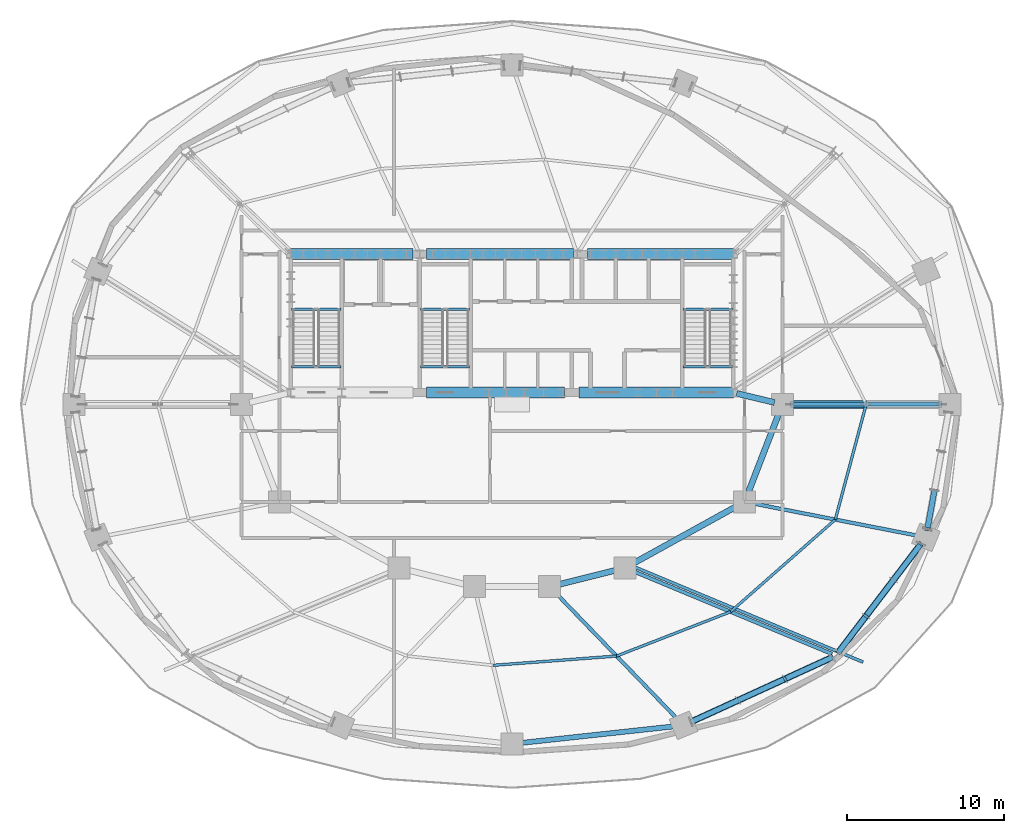
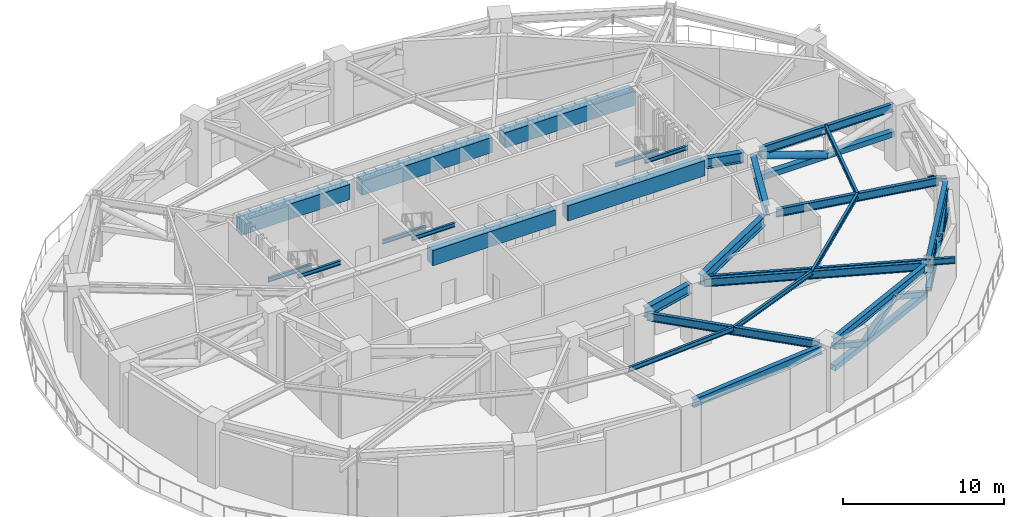
# One storey, part 4 of 18: 27 beams, 11 members.
"""IFC4 building model written with IfcOpenShell, lengths in metres."""

from ifc_helpers import new_model, si_unit, direction, frame, origin, origin_2d, place, context, subcontext, project, spatial, rectangle, hollow_rectangle, hollow_circle, i_section, extrude, material, material_profile, profile_set, type_object, element, save


model = new_model("IFC4")

# Units and contexts
model_context = context("Model", 3, precision=1e-05, world=origin(), true_north=direction((0.0, 1.0)))
body_context = subcontext(model_context, "Body", "Model", "MODEL_VIEW")
ifc_project = project(units=[si_unit("LENGTHUNIT", "METRE"), si_unit("AREAUNIT", "SQUARE_METRE"), si_unit("VOLUMEUNIT", "CUBIC_METRE"), si_unit("PLANEANGLEUNIT", "RADIAN"), si_unit("MASSUNIT", "GRAM", prefix="KILO")], contexts=[model_context])

# Site, building, storey
site_placement = place(None, origin())
site = spatial("IfcSite", under=ifc_project, at=site_placement, CompositionType="ELEMENT")
building_placement = place(site_placement, origin())
building = spatial("IfcBuilding", under=site, at=building_placement, Name="Haldorwick Loom Tower", CompositionType="ELEMENT")
storey_placement = place(building_placement, frame((0.0, 0.0, 76.800048828125)))
storey = spatial("IfcBuildingStorey", under=building, at=storey_placement, Name="L20", CompositionType="ELEMENT", Elevation=76.800048828125)

# Beams
ifc_material_1 = material(Name="Steel CSA G40.21 350W", Category="steel")
ifc_material_profile_1 = material_profile(ifc_material_1, i_section(OverallWidth=0.193115234375, OverallDepth=0.466064453125, WebThickness=0.011474609375, FlangeThickness=0.01904296875, at=origin_2d()), Name="W460X97", Category="steel")
ifc_profile_set_1 = profile_set([ifc_material_profile_1], Name="Steel CSA G40.21 350W")
beam_type_1 = type_object("IfcBeamType", Name="STR-BM-BAL460", PredefinedType="BEAM", material=ifc_profile_set_1)
beam_1_placement = place(storey_placement, frame((43.78759765625, 15.65869140625, 4.52685546875), z_axis=(0.923187850755, -0.384349049976, 0.0), x_axis=(0.384349049976, 0.923187850755, 0.0)))
element("IfcBeam", 1, at=beam_1_placement, inside=storey, type_object=beam_type_1, Name="L20 Continuous Back-Spanned Balcony Beam 1", PredefinedType="BEAM", context=body_context, shape_type="SweptSolid", body=[
    extrude(i_section(OverallWidth=0.193115234375, OverallDepth=0.466064453125, WebThickness=0.011474609375, FlangeThickness=0.01904296875, at=origin_2d()), origin(), (0.0, 0.0, 1.0), 15.75244140625),
])
ifc_material_2 = material(Name="Concrete C60 (60 MPa)", Category="concrete")
ifc_material_profile_2 = material_profile(ifc_material_2, rectangle(XDim=0.699951171875, YDim=1.14990234375, at=origin_2d()), Name="RC700X1150", Category="concrete")
ifc_profile_set_2 = profile_set([ifc_material_profile_2], Name="Concrete C60 (60 MPa)")
beam_type_2 = type_object("IfcBeamType", Name="STR-BM-CB1150", PredefinedType="LINTEL", material=ifc_profile_set_2)
beam_2_placement = place(storey_placement, frame((21.89990234375, 35.550048828125, 4.18505859375), z_axis=(1.0, 0.0, 0.0), x_axis=(0.0, 1.0, 0.0)))
element("IfcBeam", 2, at=beam_2_placement, inside=storey, type_object=beam_type_2, Name="L20 Core Coupling Beam CB-N1", PredefinedType="LINTEL", context=body_context, shape_type="SweptSolid", body=[
    extrude(rectangle(XDim=0.699951171875, YDim=1.14990234375, at=origin_2d()), origin(), (0.0, 0.0, 1.0), 7.800048828125),
])
beam_3_placement = place(storey_placement, frame((30.550048828125, 35.550048828125, 4.18505859375), z_axis=(1.0, 0.0, 0.0), x_axis=(0.0, 1.0, 0.0)))
element("IfcBeam", 3, at=beam_3_placement, inside=storey, type_object=beam_type_2, Name="L20 Core Coupling Beam CB-N2", PredefinedType="LINTEL", context=body_context, shape_type="SweptSolid", body=[
    extrude(rectangle(XDim=0.699951171875, YDim=1.14990234375, at=origin_2d()), origin(), (0.0, 0.0, 1.0), 9.349853515625),
])
beam_4_placement = place(storey_placement, frame((40.800048828125, 35.550048828125, 4.18505859375), z_axis=(1.0, 0.0, 0.0), x_axis=(0.0, 1.0, 0.0)))
element("IfcBeam", 4, at=beam_4_placement, inside=storey, type_object=beam_type_2, Name="L20 Core Coupling Beam CB-N3", PredefinedType="LINTEL", context=body_context, shape_type="SweptSolid", body=[
    extrude(rectangle(XDim=0.699951171875, YDim=1.14990234375, at=origin_2d()), origin(), (0.0, 0.0, 1.0), 9.300048828125),
])
beam_5_placement = place(storey_placement, frame((30.550048828125, 26.75, 4.18505859375), z_axis=(1.0, 0.0, 0.0), x_axis=(0.0, 1.0, 0.0)))
element("IfcBeam", 5, at=beam_5_placement, inside=storey, type_object=beam_type_2, Name="L20 Core Coupling Beam CB-S2", PredefinedType="LINTEL", context=body_context, shape_type="SweptSolid", body=[
    extrude(rectangle(XDim=0.699951171875, YDim=1.14990234375, at=origin_2d()), origin(), (0.0, 0.0, 1.0), 8.800048828125),
])
beam_6_placement = place(storey_placement, frame((40.25, 26.75, 4.18505859375), z_axis=(1.0, 0.0, 0.0), x_axis=(0.0, 1.0, 0.0)))
element("IfcBeam", 6, at=beam_6_placement, inside=storey, type_object=beam_type_2, Name="L20 Core Coupling Beam CB-S3", PredefinedType="LINTEL", context=body_context, shape_type="SweptSolid", body=[
    extrude(rectangle(XDim=0.699951171875, YDim=1.14990234375, at=origin_2d()), origin(), (0.0, 0.0, 1.0), 9.85009765625),
])
ifc_material_profile_3 = material_profile(ifc_material_1, i_section(OverallWidth=0.172119140625, OverallDepth=0.35791015625, WebThickness=0.0078125, FlangeThickness=0.01318359375, at=origin_2d()), Name="W360X57", Category="steel")
ifc_profile_set_3 = profile_set([ifc_material_profile_3], Name="Steel CSA G40.21 350W")
beam_type_3 = type_object("IfcBeamType", Name="STR-BM-J360", PredefinedType="JOIST", material=ifc_profile_set_3)
beam_7_placement = place(storey_placement, frame((34.800048828125, 9.40087890625, 4.5810546875), z_axis=(0.99718663731, 0.074958724439, 0.0), x_axis=(-0.074958724439, 0.99718663731, 0.0)))
element("IfcBeam", 7, at=beam_7_placement, inside=storey, type_object=beam_type_3, Name="L20 Mid-Bay Secondary Joist 13", PredefinedType="JOIST", context=body_context, shape_type="SweptSolid", body=[
    extrude(i_section(OverallWidth=0.172119140625, OverallDepth=0.35791015625, WebThickness=0.0078125, FlangeThickness=0.01318359375, at=origin_2d()), origin(), (0.0, 0.0, 1.0), 7.87548828125),
])
beam_8_placement = place(storey_placement, frame((42.6533203125, 9.9912109375, 4.5810546875), z_axis=(0.932072983051, 0.362270553959, 0.0), x_axis=(-0.362270553959, 0.932072983051, 0.0)))
element("IfcBeam", 8, at=beam_8_placement, inside=storey, type_object=beam_type_3, Name="L20 Mid-Bay Secondary Joist 14", PredefinedType="JOIST", context=body_context, shape_type="SweptSolid", body=[
    extrude(i_section(OverallWidth=0.172119140625, OverallDepth=0.35791015625, WebThickness=0.0078125, FlangeThickness=0.01318359375, at=origin_2d()), origin(), (0.0, 0.0, 1.0), 7.7783203125),
])
beam_9_placement = place(storey_placement, frame((49.9033203125, 12.80908203125, 4.5810546875), z_axis=(0.750721157729, 0.660619212057, 0.0), x_axis=(-0.660619212057, 0.750721157729, 0.0)))
element("IfcBeam", 9, at=beam_9_placement, inside=storey, type_object=beam_type_3, Name="L20 Mid-Bay Secondary Joist 15", PredefinedType="JOIST", context=body_context, shape_type="SweptSolid", body=[
    extrude(i_section(OverallWidth=0.172119140625, OverallDepth=0.35791015625, WebThickness=0.0078125, FlangeThickness=0.01318359375, at=origin_2d()), origin(), (0.0, 0.0, 1.0), 8.8740234375),
])
beam_10_placement = place(storey_placement, frame((56.565185546875, 18.67138671875, 4.5810546875), z_axis=(0.258810072536, 0.965928230436, 0.0), x_axis=(-0.965928230436, 0.258810072536, 0.0)))
element("IfcBeam", 10, at=beam_10_placement, inside=storey, type_object=beam_type_3, Name="L20 Mid-Bay Secondary Joist 16", PredefinedType="JOIST", context=body_context, shape_type="SweptSolid", body=[
    extrude(i_section(OverallWidth=0.172119140625, OverallDepth=0.35791015625, WebThickness=0.0078125, FlangeThickness=0.01318359375, at=origin_2d()), origin(), (0.0, 0.0, 1.0), 7.587158203125),
])
ifc_material_profile_4 = material_profile(ifc_material_1, i_section(OverallWidth=0.324951171875, OverallDepth=0.615966796875, WebThickness=0.013916015625, FlangeThickness=0.021484375, at=origin_2d()), Name="W610X174", Category="steel")
ifc_profile_set_4 = profile_set([ifc_material_profile_4], Name="Steel CSA G40.21 350W")
beam_type_4 = type_object("IfcBeamType", Name="STR-BM-SP610", PredefinedType="SPANDREL", material=ifc_profile_set_4)
beam_11_placement = place(storey_placement, frame((36.51708984375, 4.45751953125, 4.451904296875), z_axis=(0.994190135627, 0.107638163409, 0.0), x_axis=(-0.107638163409, 0.994190135627, 0.0)))
element("IfcBeam", 11, at=beam_11_placement, inside=storey, type_object=beam_type_4, Name="L20 Perimeter Spandrel 13", PredefinedType="SPANDREL", context=body_context, shape_type="SweptSolid", body=[
    extrude(i_section(OverallWidth=0.324951171875, OverallDepth=0.615966796875, WebThickness=0.013916015625, FlangeThickness=0.021484375, at=origin_2d()), origin(), (0.0, 0.0, 1.0), 9.929931640625),
])
beam_12_placement = place(storey_placement, frame((47.37939453125, 5.798583984375, 4.451904296875), z_axis=(0.909423969306, 0.415870225011, 0.0), x_axis=(-0.415870225011, 0.909423969306, 0.0)))
element("IfcBeam", 12, at=beam_12_placement, inside=storey, type_object=beam_type_4, Name="L20 Perimeter Spandrel 14", PredefinedType="SPANDREL", context=body_context, shape_type="SweptSolid", body=[
    extrude(i_section(OverallWidth=0.324951171875, OverallDepth=0.615966796875, WebThickness=0.013916015625, FlangeThickness=0.021484375, at=origin_2d()), origin(), (0.0, 0.0, 1.0), 9.871337890625),
])
beam_13_placement = place(storey_placement, frame((56.773193359375, 10.2373046875, 4.451904296875), z_axis=(0.605453508047, 0.795880675475, 0.0), x_axis=(-0.795880675475, 0.605453508047, 0.0)))
element("IfcBeam", 13, at=beam_13_placement, inside=storey, type_object=beam_type_4, Name="L20 Perimeter Spandrel 15", PredefinedType="SPANDREL", context=body_context, shape_type="SweptSolid", body=[
    extrude(i_section(OverallWidth=0.324951171875, OverallDepth=0.615966796875, WebThickness=0.013916015625, FlangeThickness=0.021484375, at=origin_2d()), origin(), (0.0, 0.0, 1.0), 8.6591796875),
])
ifc_material_profile_5 = material_profile(ifc_material_1, i_section(OverallWidth=0.166015625, OverallDepth=0.31298828125, WebThickness=0.006591796875, FlangeThickness=0.01123046875, at=origin_2d()), Name="W310X45", Category="steel")
ifc_profile_set_5 = profile_set([ifc_material_profile_5], Name="Steel CSA G40.21 350W")
beam_type_5 = type_object("IfcBeamType", Name="STR-BM-STRM", PredefinedType="BEAM", material=ifc_profile_set_5)
for number, where, z_axis, x_axis, name in (
    (14, (21.989990234375, 28.39990234375, 4.603515625), (1.0, 0.0, 0.0), (0.0, 1.0, 0.0), "L20 Stair ST-01 Landing Edge Trimmer"),
    (15, (21.989990234375, 32.0400390625, 2.1435546875), (1.0, 0.0, 0.0), (0.0, 1.0, 0.0), "L20 Stair ST-01 Half-Landing Trimmer 1"),
    (16, (46.889892578125, 28.39990234375, 4.603515625), (1.0, 0.0, 0.0), (0.0, 1.0, 0.0), "L20 Stair ST-02 Landing Edge Trimmer"),
    (17, (46.889892578125, 32.0400390625, 2.1435546875), (1.0, 0.0, 0.0), (0.0, 1.0, 0.0), "L20 Stair ST-02 Half-Landing Trimmer 1"),
    (18, (30.18994140625, 28.39990234375, 4.603515625), (1.0, 0.0, 0.0), (0.0, 1.0, 0.0), "L20 Stair ST-03 Landing Edge Trimmer"),
    (19, (30.18994140625, 32.0400390625, 2.1435546875), (1.0, 0.0, 0.0), (0.0, 1.0, 0.0), "L20 Stair ST-03 Half-Landing Trimmer 1"),
):
    element("IfcBeam", number, at=place(storey_placement, frame(where, z_axis=z_axis, x_axis=x_axis)), inside=storey, type_object=beam_type_5, Name=name, PredefinedType="BEAM", context=body_context, shape_type="SweptSolid", body=[
        extrude(i_section(OverallWidth=0.166015625, OverallDepth=0.31298828125, WebThickness=0.006591796875, FlangeThickness=0.01123046875, at=origin_2d()), origin(), (0.0, 0.0, 1.0), 3.1201171875),
    ])
ifc_material_profile_6 = material_profile(ifc_material_1, i_section(OverallWidth=0.22998046875, OverallDepth=0.616943359375, WebThickness=0.01318359375, FlangeThickness=0.022216796875, at=origin_2d()), Name="W610X140", Category="steel")
ifc_profile_set_6 = profile_set([ifc_material_profile_6], Name="Steel CSA G40.21 350W")
beam_type_6 = type_object("IfcBeamType", Name="STR-BM-W610B", PredefinedType="BEAM", material=ifc_profile_set_6)
beam_14_placement = place(storey_placement, frame((53.719970703125, 26.0, 4.451416015625), z_axis=(1.0, 0.0, 0.0), x_axis=(0.0, 1.0, 0.0)))
element("IfcBeam", 20, at=beam_14_placement, inside=storey, type_object=beam_type_6, Name="L20 Radial Floor Girder 1", PredefinedType="BEAM", context=body_context, shape_type="SweptSolid", body=[
    extrude(i_section(OverallWidth=0.22998046875, OverallDepth=0.616943359375, WebThickness=0.01318359375, FlangeThickness=0.022216796875, at=origin_2d()), origin(), (0.0, 0.0, 1.0), 9.61767578125),
])
beam_15_placement = place(storey_placement, frame((38.760986328125, 14.02587890625, 4.451416015625), z_axis=(0.694287071595, -0.719698174387, 0.0), x_axis=(0.719698174387, 0.694287071595, 0.0)))
element("IfcBeam", 21, at=beam_15_placement, inside=storey, type_object=beam_type_6, Name="L20 Radial Floor Girder 14", PredefinedType="BEAM", context=body_context, shape_type="SweptSolid", body=[
    extrude(i_section(OverallWidth=0.22998046875, OverallDepth=0.616943359375, WebThickness=0.01318359375, FlangeThickness=0.022216796875, at=origin_2d()), origin(), (0.0, 0.0, 1.0), 11.212158203125),
])
beam_16_placement = place(storey_placement, frame((43.68017578125, 15.400146484375, 4.451416015625), z_axis=(0.923183704764, -0.384359008297, 0.0), x_axis=(0.384359008297, 0.923183704764, 0.0)))
element("IfcBeam", 22, at=beam_16_placement, inside=storey, type_object=beam_type_6, Name="L20 Radial Floor Girder 15", PredefinedType="BEAM", context=body_context, shape_type="SweptSolid", body=[
    extrude(i_section(OverallWidth=0.22998046875, OverallDepth=0.616943359375, WebThickness=0.01318359375, FlangeThickness=0.022216796875, at=origin_2d()), origin(), (0.0, 0.0, 1.0), 13.72705078125),
])
beam_17_placement = place(storey_placement, frame((51.310302734375, 19.7001953125, 4.451416015625), z_axis=(0.981369581426, -0.192129499692, 0.0), x_axis=(0.192129499692, 0.981369581426, 0.0)))
element("IfcBeam", 23, at=beam_17_placement, inside=storey, type_object=beam_type_6, Name="L20 Radial Floor Girder 16", PredefinedType="BEAM", context=body_context, shape_type="SweptSolid", body=[
    extrude(i_section(OverallWidth=0.22998046875, OverallDepth=0.616943359375, WebThickness=0.01318359375, FlangeThickness=0.022216796875, at=origin_2d()), origin(), (0.0, 0.0, 1.0), 10.70947265625),
])
ifc_material_profile_7 = material_profile(ifc_material_1, i_section(OverallWidth=0.381103515625, OverallDepth=0.77294921875, WebThickness=0.0166015625, FlangeThickness=0.027587890625, at=origin_2d()), Name="W760X257", Category="steel")
ifc_profile_set_7 = profile_set([ifc_material_profile_7], Name="Steel CSA G40.21 350W")
beam_type_7 = type_object("IfcBeamType", Name="STR-BM-W760", PredefinedType="BEAM", material=ifc_profile_set_7)
beam_18_placement = place(storey_placement, frame((50.288818359375, 26.697509765625, 4.37353515625), z_axis=(0.97247055837, -0.233025777764, 0.0), x_axis=(0.233025777764, 0.97247055837, 0.0)))
element("IfcBeam", 24, at=beam_18_placement, inside=storey, type_object=beam_type_7, Name="L20 Inner Ring Girder 1", PredefinedType="BEAM", context=body_context, shape_type="SweptSolid", body=[
    extrude(i_section(OverallWidth=0.381103515625, OverallDepth=0.77294921875, WebThickness=0.0166015625, FlangeThickness=0.027587890625, at=origin_2d()), origin(), (0.0, 0.0, 1.0), 2.4736328125),
])
beam_19_placement = place(storey_placement, frame((53.01220703125, 25.51513671875, 4.37353515625), z_axis=(-0.360964792353, -0.93257944363, 0.0), x_axis=(0.93257944363, -0.360964792353, 0.0)))
element("IfcBeam", 25, at=beam_19_placement, inside=storey, type_object=beam_type_7, Name="L20 Inner Ring Girder 2", PredefinedType="BEAM", context=body_context, shape_type="SweptSolid", body=[
    extrude(i_section(OverallWidth=0.381103515625, OverallDepth=0.77294921875, WebThickness=0.0166015625, FlangeThickness=0.027587890625, at=origin_2d()), origin(), (0.0, 0.0, 1.0), 5.6083984375),
])
beam_20_placement = place(storey_placement, frame((50.344970703125, 19.548583984375, 4.37353515625), z_axis=(-0.875244382146, -0.483680960471, 0.0), x_axis=(0.483680960471, -0.875244382146, 0.0)))
element("IfcBeam", 26, at=beam_20_placement, inside=storey, type_object=beam_type_7, Name="L20 Inner Ring Girder 3", PredefinedType="BEAM", context=body_context, shape_type="SweptSolid", body=[
    extrude(i_section(OverallWidth=0.381103515625, OverallDepth=0.77294921875, WebThickness=0.0166015625, FlangeThickness=0.027587890625, at=origin_2d()), origin(), (0.0, 0.0, 1.0), 7.6435546875),
])
beam_21_placement = place(storey_placement, frame((42.695556640625, 15.473876953125, 4.37353515625), z_axis=(-0.970142500145, -0.242535625036, 0.0), x_axis=(0.242535625036, -0.970142500145, 0.0)))
element("IfcBeam", 27, at=beam_21_placement, inside=storey, type_object=beam_type_7, Name="L20 Inner Ring Girder 4", PredefinedType="BEAM", context=body_context, shape_type="SweptSolid", body=[
    extrude(i_section(OverallWidth=0.381103515625, OverallDepth=0.77294921875, WebThickness=0.0166015625, FlangeThickness=0.027587890625, at=origin_2d()), origin(), (0.0, 0.0, 1.0), 3.90771484375),
])

# Members
ifc_material_profile_8 = material_profile(ifc_material_1, hollow_rectangle(XDim=0.355712890625, YDim=0.355712890625, WallThickness=0.015869140625, at=origin_2d()), Name="HSS356X356X16", Category="steel")
ifc_profile_set_8 = profile_set([ifc_material_profile_8], Name="Steel CSA G40.21 350W")
member_type_1 = type_object("IfcMemberType", Name="STR-MEM-BR356", PredefinedType="BRACE", material=ifc_profile_set_8)
for number, where, z_axis, x_axis, name in (
    (28, (47.37939453125, 5.798583984375, 4.14404296875), (0.813531343432, 0.372019513742, -0.446954398847), (-0.415870225011, 0.909423969306, 0.0), "L20 Perimeter Belt Truss Web Diagonal 14-1"),
    (29, (50.371826171875, 7.1669921875, 2.5), (0.813531343432, 0.372019513742, 0.446954398847), (-0.415870225011, 0.909423969306, 0.0), "L20 Perimeter Belt Truss Web Diagonal 14-2"),
    (30, (53.3642578125, 8.535400390625, 4.14404296875), (0.813531343432, 0.372019513742, -0.446954398847), (-0.415870225011, 0.909423969306, 0.0), "L20 Perimeter Belt Truss Web Diagonal 14-3"),
):
    element("IfcMember", number, at=place(storey_placement, frame(where, z_axis=z_axis, x_axis=x_axis)), inside=storey, type_object=member_type_1, Name=name, PredefinedType="BRACE", context=body_context, shape_type="SweptSolid", body=[
        extrude(hollow_rectangle(XDim=0.355712890625, YDim=0.355712890625, WallThickness=0.015869140625, at=origin_2d()), origin(), (0.0, 0.0, 1.0), 3.67822265625),
    ])
for number, where, z_axis, x_axis, name in (
    (31, (56.773193359375, 10.2373046875, 2.5), (0.526105973993, 0.691552264501, 0.494942390175), (-0.795870339675, 0.60546709442, 0.0), "L20 Perimeter Belt Truss Web Diagonal 15-1"),
    (32, (58.520751953125, 12.534423828125, 4.14404296875), (0.526105973993, 0.691552264501, -0.494942390175), (-0.795870339675, 0.60546709442, 0.0), "L20 Perimeter Belt Truss Web Diagonal 15-2"),
    (33, (60.268310546875, 14.83154296875, 2.5), (0.526079233479, 0.691590610092, 0.49491723362), (-0.795901344986, 0.6054263366, 0.0), "L20 Perimeter Belt Truss Web Diagonal 15-3"),
):
    element("IfcMember", number, at=place(storey_placement, frame(where, z_axis=z_axis, x_axis=x_axis)), inside=storey, type_object=member_type_1, Name=name, PredefinedType="BRACE", context=body_context, shape_type="SweptSolid", body=[
        extrude(hollow_rectangle(XDim=0.355712890625, YDim=0.355712890625, WallThickness=0.015869140625, at=origin_2d()), origin(), (0.0, 0.0, 1.0), 3.32177734375),
    ])
member_1_placement = place(storey_placement, frame((62.423095703125, 18.054443359375, 4.14404296875), z_axis=(0.148729188823, 0.8240181586, -0.546693426602), x_axis=(-0.984098690471, 0.177622541965, 0.0)))
element("IfcMember", 34, at=member_1_placement, inside=storey, type_object=member_type_1, Name="L20 Perimeter Belt Truss Web Diagonal 16-1", PredefinedType="BRACE", context=body_context, shape_type="SweptSolid", body=[
    extrude(hollow_rectangle(XDim=0.355712890625, YDim=0.355712890625, WallThickness=0.015869140625, at=origin_2d()), origin(), (0.0, 0.0, 1.0), 3.00732421875),
])
ifc_material_profile_9 = material_profile(ifc_material_1, hollow_circle(Radius=0.25390625, WallThickness=0.015869140625, at=origin_2d()), Name="HSS508X16", Category="steel")
ifc_profile_set_9 = profile_set([ifc_material_profile_9], Name="Steel CSA G40.21 350W")
member_type_2 = type_object("IfcMemberType", Name="STR-MEM-BR508", PredefinedType="BRACE", material=ifc_profile_set_9)
member_2_placement = place(storey_placement, frame((53.719970703125, 26.0, 4.14306640625), z_axis=(0.946288205536, 0.0, -0.32332434499), x_axis=(0.0, 1.0, 0.0)))
element("IfcMember", 35, at=member_2_placement, inside=storey, type_object=member_type_2, Name="L20 Outrigger OT-E Inner Diagonal", PredefinedType="BRACE", context=body_context, shape_type="SweptSolid", body=[
    extrude(hollow_circle(Radius=0.25390625, WallThickness=0.015869140625, at=origin_2d()), origin(), (0.0, 0.0, 1.0), 5.081787109375),
])
ifc_material_profile_10 = material_profile(ifc_material_1, hollow_rectangle(XDim=0.406494140625, YDim=0.406494140625, WallThickness=0.015869140625, at=origin_2d()), Name="HSS406X406X16", Category="steel")
ifc_profile_set_10 = profile_set([ifc_material_profile_10], Name="Steel CSA G40.21 350W")
member_type_3 = type_object("IfcMemberType", Name="STR-MEM-CH406", PredefinedType="CHORD", material=ifc_profile_set_10)
member_3_placement = place(storey_placement, frame((47.37939453125, 5.798583984375, 2.5), z_axis=(0.909423969306, 0.415870225011, 0.0), x_axis=(-0.415870225011, 0.909423969306, 0.0)))
element("IfcMember", 36, at=member_3_placement, inside=storey, type_object=member_type_3, Name="L20 Perimeter Belt Truss Bottom Chord 14", PredefinedType="CHORD", context=body_context, shape_type="SweptSolid", body=[
    extrude(hollow_rectangle(XDim=0.406494140625, YDim=0.406494140625, WallThickness=0.015869140625, at=origin_2d()), origin(), (0.0, 0.0, 1.0), 9.871337890625),
])
member_4_placement = place(storey_placement, frame((56.773193359375, 10.2373046875, 2.5), z_axis=(0.605453508047, 0.795880675475, 0.0), x_axis=(-0.795880675475, 0.605453508047, 0.0)))
element("IfcMember", 37, at=member_4_placement, inside=storey, type_object=member_type_3, Name="L20 Perimeter Belt Truss Bottom Chord 15", PredefinedType="CHORD", context=body_context, shape_type="SweptSolid", body=[
    extrude(hollow_rectangle(XDim=0.406494140625, YDim=0.406494140625, WallThickness=0.015869140625, at=origin_2d()), origin(), (0.0, 0.0, 1.0), 8.6591796875),
])
member_5_placement = place(storey_placement, frame((53.719970703125, 26.0, 2.5), z_axis=(1.0, 0.0, 0.0), x_axis=(0.0, 1.0, 0.0)))
element("IfcMember", 38, at=member_5_placement, inside=storey, type_object=member_type_3, Name="L20 Outrigger OT-E Bottom Chord", PredefinedType="CHORD", context=body_context, shape_type="SweptSolid", body=[
    extrude(hollow_rectangle(XDim=0.406494140625, YDim=0.406494140625, WallThickness=0.015869140625, at=origin_2d()), origin(), (0.0, 0.0, 1.0), 9.61767578125),
])

save(model, "model.ifc")
